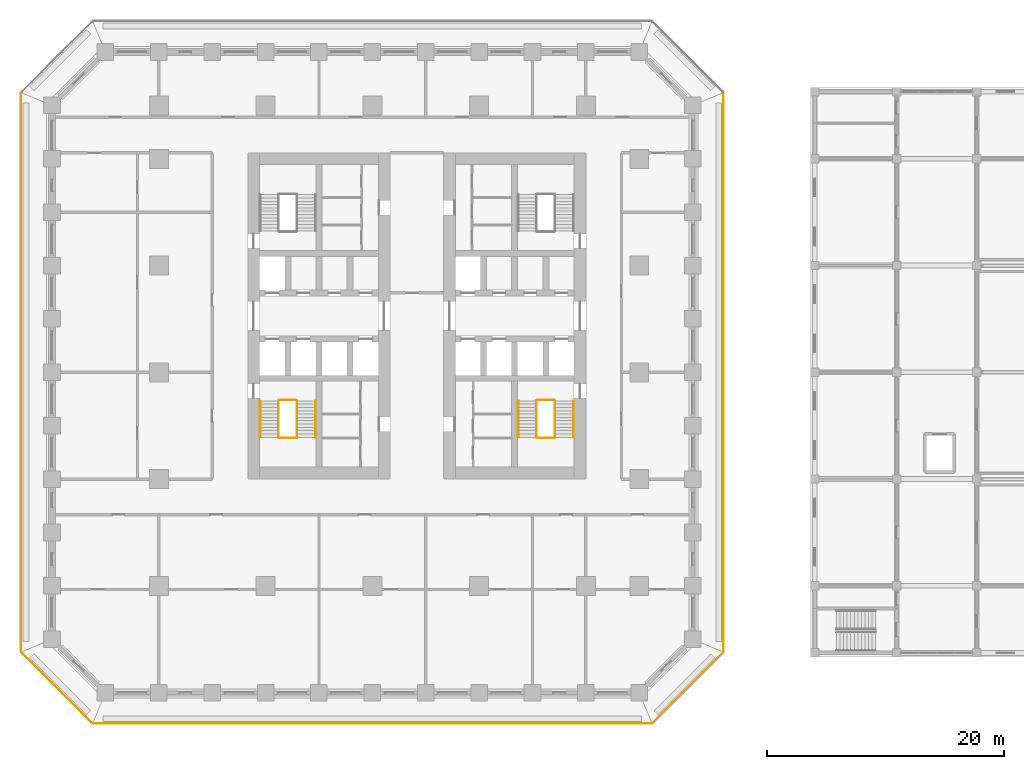
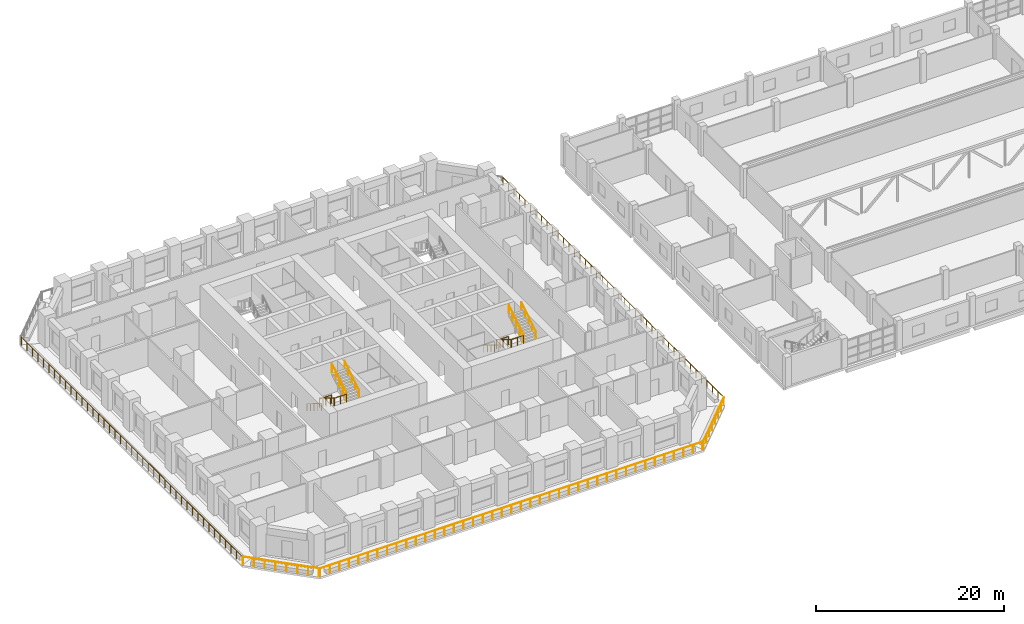
# One storey, part 35 of 42: 17 railings.
"""IFC4 building model written with IfcOpenShell, lengths in metres."""

import ifcopenshell
import ifcopenshell.guid

model = None  # the IFC model being written
_history = None  # IfcOwnerHistory: only IFC2X3 demands one
_inside = {}  # id of a spatial element -> (the spatial element, [elements in it])
_under = {}  # id of a project, library or spatial element -> (it, [spatial elements below it])
_declared = {}  # id of a project -> (the project, [libraries it declares])
_typed = {}  # id of a type object -> (the type object, [elements of that type])
_made_of = {}  # id of a material, layer set ... -> (it, [elements and type objects made of it])


def new_model(schema):
    """Start an empty IFC model of exactly this schema.

    Asked for "IFC4X3", IfcOpenShell would pick the latest addendum, in which some entities
    have other attributes; the version numbers below select the first issue.
    IFC2X3 requires an IfcOwnerHistory on every rooted entity: one is made here for all.
    """
    global model, _history
    if schema == "IFC4X3":
        model = ifcopenshell.file(schema_version=(4, 3, 0, 0))
    else:
        model = ifcopenshell.file(schema=schema)
    _inside.clear()
    _under.clear()
    _declared.clear()
    _typed.clear()
    _made_of.clear()
    _history = None
    if model.schema == "IFC2X3":
        org = make("IfcOrganization", Name="unknown")
        user = make(
            "IfcPersonAndOrganization",
            ThePerson=make("IfcPerson", FamilyName="unknown"),
            TheOrganization=org,
        )
        app = make(
            "IfcApplication",
            ApplicationDeveloper=org,
            Version="unknown",
            ApplicationFullName="unknown",
            ApplicationIdentifier="unknown",
        )
        _history = make(
            "IfcOwnerHistory",
            OwningUser=user,
            OwningApplication=app,
            ChangeAction="ADDED",
            CreationDate=0,
        )
    return model


def make(cls, **values):
    """One entity of the class cls with the attributes given. An attribute that is None is left unset."""
    return model.create_entity(
        cls, **{name: value for name, value in values.items() if value is not None}
    )


def rooted(cls, **values):
    """An entity with a GlobalId (a new one), such as an element, a storey or a relation."""
    return make(cls, GlobalId=ifcopenshell.guid.new(), OwnerHistory=_history, **values)


def si_unit(unit_type, name, prefix=None):
    """IfcSIUnit, for example si_unit("LENGTHUNIT", "METRE", prefix="MILLI")."""
    return make("IfcSIUnit", UnitType=unit_type, Prefix=prefix, Name=name)


def assignment(units):
    """IfcUnitAssignment: the units of a project."""
    return None if units is None else make("IfcUnitAssignment", Units=units)


def point(xyz):
    """IfcCartesianPoint."""
    return None if xyz is None else make("IfcCartesianPoint", Coordinates=xyz)


def direction(xyz):
    """IfcDirection."""
    return None if xyz is None else make("IfcDirection", DirectionRatios=xyz)


def frame(location, z_axis=None, x_axis=None):
    """IfcAxis2Placement3D, a coordinate frame: its origin and axes. An axis left out is left unset."""
    return make(
        "IfcAxis2Placement3D",
        Location=point(location),
        Axis=direction(z_axis),
        RefDirection=direction(x_axis),
    )


def frame_2d(location, x_axis=None):
    """IfcAxis2Placement2D, a coordinate frame in the plane: its origin and x axis."""
    return make(
        "IfcAxis2Placement2D", Location=point(location), RefDirection=direction(x_axis)
    )


def origin():
    """The frame at (0, 0, 0) with its axes left unset."""
    return frame((0.0, 0.0, 0.0))


def origin_2d():
    """The frame at (0, 0) in the plane with its x axis left unset."""
    return frame_2d((0.0, 0.0))


def place(relative_to, where):
    """IfcLocalPlacement: puts the frame where relative to a parent placement (None: the world)."""
    return make(
        "IfcLocalPlacement", PlacementRelTo=relative_to, RelativePlacement=where
    )


def context(
    kind, dimensions, precision=None, world=None, true_north=None, identifier=None
):
    """IfcGeometricRepresentationContext, for example the 3D "Model" context."""
    return make(
        "IfcGeometricRepresentationContext",
        ContextIdentifier=identifier,
        ContextType=kind,
        CoordinateSpaceDimension=dimensions,
        Precision=precision,
        WorldCoordinateSystem=world,
        TrueNorth=true_north,
    )


def subcontext(parent, identifier, kind, view, scale=None):
    """IfcGeometricRepresentationSubContext, for example "Body" below "Model"."""
    return make(
        "IfcGeometricRepresentationSubContext",
        ContextIdentifier=identifier,
        ContextType=kind,
        ParentContext=parent,
        TargetScale=scale,
        TargetView=view,
    )


def project(units=None, contexts=None):
    """IfcProject with its units and contexts."""
    return rooted(
        "IfcProject",
        Name="project",
        RepresentationContexts=contexts,
        UnitsInContext=assignment(units),
    )


def spatial(cls, under=None, at=None, **own):
    """A site, building, storey or space (cls), placed at a placement, below another one or the project."""
    s = rooted(cls, ObjectPlacement=at, **own)
    if under is not None:
        _under.setdefault(under.id(), (under, []))[1].append(s)
    return s


def profile(cls, at=None, kind="AREA", **sizes):
    """A parametric profile (cls). Its sizes go by their IFC names, for example OverallWidth=200.0."""
    return make(cls, ProfileType=kind, Position=at, **sizes)


def circle(**sizes):
    """IfcCircleProfileDef."""
    return profile("IfcCircleProfileDef", **sizes)


def extrude(swept, where, along, depth):
    """IfcExtrudedAreaSolid: the profile swept, set in the frame where, extruded along a direction by depth."""
    return make(
        "IfcExtrudedAreaSolid",
        SweptArea=swept,
        Position=where,
        ExtrudedDirection=direction(along),
        Depth=depth,
    )


def shape(context_of_items, identifier, shape_type, items):
    """IfcShapeRepresentation: the items that make up one representation, for example the "Body"."""
    return make(
        "IfcShapeRepresentation",
        ContextOfItems=context_of_items,
        RepresentationIdentifier=identifier,
        RepresentationType=shape_type,
        Items=items,
    )


def material(Name=None, Category=None):
    """IfcMaterial."""
    return make("IfcMaterial", Name=Name, Category=Category)


def made_of(thing, what):
    """Note that an element or type object is made of a material, layer set ...; save() writes the relation."""
    if what is not None:
        _made_of.setdefault(what.id(), (what, []))[1].append(thing)
    return thing


def type_object(cls, material=None, **own):
    """A type object (cls), such as IfcWallType, which elements share."""
    return made_of(rooted(cls, **own), material)


def element(
    cls,
    number,
    at=None,
    inside=None,
    cuts=None,
    type_object=None,
    material=None,
    context=None,
    identifier="Body",
    shape_type=None,
    held_by="IfcProductDefinitionShape",
    body=None,
    shapes=None,
    **own,
):
    """One element of the class cls, such as IfcWall. Its Tag is "e" and its number.

    at: its placement. inside: the storey or other place that contains it. cuts: it is an
    opening in that element (IfcRelVoidsElement). A single representation is given by context,
    identifier, shape_type and body (its items); several are given by shapes. held_by: the class
    of the entity that holds the representations. save() writes the other relations.
    """
    e = rooted(cls, Tag="e%d" % number, ObjectPlacement=at, **own)
    if body is not None:
        shapes = [shape(context, identifier, shape_type, body)]
    if shapes is not None:
        e.Representation = make(held_by, Representations=shapes)
    if inside is not None:
        _inside.setdefault(inside.id(), (inside, []))[1].append(e)
    if cuts is not None:
        rooted(
            "IfcRelVoidsElement", RelatingBuildingElement=cuts, RelatedOpeningElement=e
        )
    if type_object is not None:
        _typed.setdefault(type_object.id(), (type_object, []))[1].append(e)
    return made_of(e, material)


def aggregate(whole, parts):
    """IfcRelAggregates: a whole, such as a stair, and the parts it consists of."""
    return rooted("IfcRelAggregates", RelatingObject=whole, RelatedObjects=parts)


def save(model, path):
    """Write the relations noted so far, then the file.

    IfcRelAggregates (storeys below a building ...), IfcRelContainedInSpatialStructure (elements
    in a storey), IfcRelDefinesByType, IfcRelAssociatesMaterial and IfcRelDeclares: one each for
    every whole, place, type object, material and project.
    """
    for whole, parts in _under.values():
        aggregate(whole, parts)
    for where, things in _inside.values():
        rooted(
            "IfcRelContainedInSpatialStructure",
            RelatedElements=things,
            RelatingStructure=where,
        )
    for kind, things in _typed.values():
        rooted("IfcRelDefinesByType", RelatedObjects=things, RelatingType=kind)
    for what, things in _made_of.values():
        rooted("IfcRelAssociatesMaterial", RelatedObjects=things, RelatingMaterial=what)
    for by, libraries in _declared.values():
        rooted("IfcRelDeclares", RelatingContext=by, RelatedDefinitions=libraries)
    model.write(path)


model = new_model("IFC4")

# Units and contexts
model_context = context("Model", 3, precision=1e-05, world=origin(), true_north=direction((0.0, 1.0)))
body_context = subcontext(model_context, "Body", "Model", "MODEL_VIEW")
ifc_project = project(units=[si_unit("LENGTHUNIT", "METRE"), si_unit("AREAUNIT", "SQUARE_METRE"), si_unit("VOLUMEUNIT", "CUBIC_METRE"), si_unit("PLANEANGLEUNIT", "RADIAN"), si_unit("MASSUNIT", "GRAM", prefix="KILO")], contexts=[model_context])

# Site, building, storey
site_placement = place(None, origin())
site = spatial("IfcSite", under=ifc_project, at=site_placement, CompositionType="ELEMENT")
building_placement = place(site_placement, origin())
building = spatial("IfcBuilding", under=site, at=building_placement, Name="Corbel Stack Research Tower", CompositionType="ELEMENT")
storey_placement = place(building_placement, frame((0.0, 0.0, 11.300048828125)))
storey = spatial("IfcBuildingStorey", under=building, at=storey_placement, Name="L02", CompositionType="ELEMENT", Elevation=11.300048828125)

# Railings
ifc_material_1 = material(Name="Steel S355", Category="steel")
railing_type_1 = type_object("IfcRailingType", Name="Stair guard 1100", PredefinedType="GUARDRAIL", material=ifc_material_1)
railing_1_placement = place(storey_placement, frame((-7.89990234375, -2.39990234375, 0.1708984375)))
element("IfcRailing", 1, at=railing_1_placement, inside=storey, type_object=railing_type_1, Name="L02 ST-W1 stair guard 1", PredefinedType="GUARDRAIL", context=body_context, shape_type="SweptSolid", body=[
    extrude(circle(Radius=0.02392578125, at=origin_2d()), frame((0.0, 0.0, 1.076171875), z_axis=(0.0, -0.853666305674, 0.52082035152), x_axis=(1.0, 0.0, 0.0)), (0.0, 0.0, 1.0), 3.608154296875),
    extrude(circle(Radius=0.02099609375, at=origin_2d()), origin(), (0.0, 0.0, 1.0), 1.052001953125),
    extrude(circle(Radius=0.02099609375, at=origin_2d()), frame((0.0, -0.77001953125, 0.4697265625)), (0.0, 0.0, 1.0), 1.052001953125),
    extrude(circle(Radius=0.02099609375, at=origin_2d()), frame((0.0, -1.5400390625, 0.939453125)), (0.0, 0.0, 1.0), 1.052001953125),
    extrude(circle(Radius=0.02099609375, at=origin_2d()), frame((0.0, -2.31005859375, 1.409423828125)), (0.0, 0.0, 1.0), 1.052001953125),
    extrude(circle(Radius=0.02099609375, at=origin_2d()), frame((0.0, -3.080078125, 1.879150390625)), (0.0, 0.0, 1.0), 1.052001953125),
])
railing_2_placement = place(storey_placement, frame((-7.85009765625, -5.530029296875, 2.050048828125)))
element("IfcRailing", 2, at=railing_2_placement, inside=storey, type_object=railing_type_1, Name="L02 ST-W1 stair guard 2", PredefinedType="GUARDRAIL", context=body_context, shape_type="SweptSolid", body=[
    extrude(circle(Radius=0.02392578125, at=origin_2d()), frame((0.0, 0.0, 1.076171875), z_axis=(1.0, 0.0, 0.0), x_axis=(0.0, 1.0, 0.0)), (0.0, 0.0, 1.0), 1.4501953125),
    extrude(circle(Radius=0.02099609375, at=origin_2d()), origin(), (0.0, 0.0, 1.0), 1.052001953125),
    extrude(circle(Radius=0.02099609375, at=origin_2d()), frame((0.72509765625, 0.0, 0.0)), (0.0, 0.0, 1.0), 1.052001953125),
    extrude(circle(Radius=0.02099609375, at=origin_2d()), frame((1.4501953125, 0.0, 0.0)), (0.0, 0.0, 1.0), 1.052001953125),
])
railing_3_placement = place(storey_placement, frame((-6.35009765625, -5.47998046875, 2.220703125)))
element("IfcRailing", 3, at=railing_3_placement, inside=storey, type_object=railing_type_1, Name="L02 ST-W1 stair guard 3", PredefinedType="GUARDRAIL", context=body_context, shape_type="SweptSolid", body=[
    extrude(circle(Radius=0.02392578125, at=origin_2d()), frame((0.0, 0.0, 1.076171875), z_axis=(0.0, 0.853666305674, 0.52082035152), x_axis=(-1.0, 0.0, 0.0)), (0.0, 0.0, 1.0), 3.608154296875),
    extrude(circle(Radius=0.02099609375, at=origin_2d()), origin(), (0.0, 0.0, 1.0), 1.052001953125),
    extrude(circle(Radius=0.02099609375, at=origin_2d()), frame((0.0, 0.77001953125, 0.4697265625)), (0.0, 0.0, 1.0), 1.052001953125),
    extrude(circle(Radius=0.02099609375, at=origin_2d()), frame((0.0, 1.5400390625, 0.939453125)), (0.0, 0.0, 1.0), 1.052001953125),
    extrude(circle(Radius=0.02099609375, at=origin_2d()), frame((0.0, 2.31005859375, 1.409423828125)), (0.0, 0.0, 1.0), 1.052001953125),
    extrude(circle(Radius=0.02099609375, at=origin_2d()), frame((0.0, 3.080078125, 1.879150390625)), (0.0, 0.0, 1.0), 1.052001953125),
])
railing_4_placement = place(storey_placement, frame((-7.85009765625, -2.35009765625, 0.0)))
element("IfcRailing", 4, at=railing_4_placement, inside=storey, type_object=railing_type_1, Name="L02 ST-W1 stair guard 4", PredefinedType="GUARDRAIL", context=body_context, shape_type="SweptSolid", body=[
    extrude(circle(Radius=0.02392578125, at=origin_2d()), frame((0.0, 0.0, 1.076171875), z_axis=(1.0, 0.0, 0.0), x_axis=(0.0, 1.0, 0.0)), (0.0, 0.0, 1.0), 1.4501953125),
    extrude(circle(Radius=0.02099609375, at=origin_2d()), origin(), (0.0, 0.0, 1.0), 1.052001953125),
    extrude(circle(Radius=0.02099609375, at=origin_2d()), frame((0.72509765625, 0.0, 0.0)), (0.0, 0.0, 1.0), 1.052001953125),
    extrude(circle(Radius=0.02099609375, at=origin_2d()), frame((1.4501953125, 0.0, 0.0)), (0.0, 0.0, 1.0), 1.052001953125),
])
railing_5_placement = place(storey_placement, frame((13.85009765625, -2.39990234375, 0.1708984375)))
element("IfcRailing", 5, at=railing_5_placement, inside=storey, type_object=railing_type_1, Name="L02 ST-E1 stair guard 1", PredefinedType="GUARDRAIL", context=body_context, shape_type="SweptSolid", body=[
    extrude(circle(Radius=0.02392578125, at=origin_2d()), frame((0.0, 0.0, 1.076171875), z_axis=(0.0, -0.853666305674, 0.52082035152), x_axis=(1.0, 0.0, 0.0)), (0.0, 0.0, 1.0), 3.608154296875),
    extrude(circle(Radius=0.02099609375, at=origin_2d()), origin(), (0.0, 0.0, 1.0), 1.052001953125),
    extrude(circle(Radius=0.02099609375, at=origin_2d()), frame((0.0, -0.77001953125, 0.4697265625)), (0.0, 0.0, 1.0), 1.052001953125),
    extrude(circle(Radius=0.02099609375, at=origin_2d()), frame((0.0, -1.5400390625, 0.939453125)), (0.0, 0.0, 1.0), 1.052001953125),
    extrude(circle(Radius=0.02099609375, at=origin_2d()), frame((0.0, -2.31005859375, 1.409423828125)), (0.0, 0.0, 1.0), 1.052001953125),
    extrude(circle(Radius=0.02099609375, at=origin_2d()), frame((0.0, -3.080078125, 1.879150390625)), (0.0, 0.0, 1.0), 1.052001953125),
])
railing_6_placement = place(storey_placement, frame((13.89990234375, -5.530029296875, 2.050048828125)))
element("IfcRailing", 6, at=railing_6_placement, inside=storey, type_object=railing_type_1, Name="L02 ST-E1 stair guard 2", PredefinedType="GUARDRAIL", context=body_context, shape_type="SweptSolid", body=[
    extrude(circle(Radius=0.02392578125, at=origin_2d()), frame((0.0, 0.0, 1.076171875), z_axis=(1.0, 0.0, 0.0), x_axis=(0.0, 1.0, 0.0)), (0.0, 0.0, 1.0), 1.4501953125),
    extrude(circle(Radius=0.02099609375, at=origin_2d()), origin(), (0.0, 0.0, 1.0), 1.052001953125),
    extrude(circle(Radius=0.02099609375, at=origin_2d()), frame((0.72509765625, 0.0, 0.0)), (0.0, 0.0, 1.0), 1.052001953125),
    extrude(circle(Radius=0.02099609375, at=origin_2d()), frame((1.4501953125, 0.0, 0.0)), (0.0, 0.0, 1.0), 1.052001953125),
])
railing_7_placement = place(storey_placement, frame((15.39990234375, -5.47998046875, 2.220703125)))
element("IfcRailing", 7, at=railing_7_placement, inside=storey, type_object=railing_type_1, Name="L02 ST-E1 stair guard 3", PredefinedType="GUARDRAIL", context=body_context, shape_type="SweptSolid", body=[
    extrude(circle(Radius=0.02392578125, at=origin_2d()), frame((0.0, 0.0, 1.076171875), z_axis=(0.0, 0.853666305674, 0.52082035152), x_axis=(-1.0, 0.0, 0.0)), (0.0, 0.0, 1.0), 3.608154296875),
    extrude(circle(Radius=0.02099609375, at=origin_2d()), origin(), (0.0, 0.0, 1.0), 1.052001953125),
    extrude(circle(Radius=0.02099609375, at=origin_2d()), frame((0.0, 0.77001953125, 0.4697265625)), (0.0, 0.0, 1.0), 1.052001953125),
    extrude(circle(Radius=0.02099609375, at=origin_2d()), frame((0.0, 1.5400390625, 0.939453125)), (0.0, 0.0, 1.0), 1.052001953125),
    extrude(circle(Radius=0.02099609375, at=origin_2d()), frame((0.0, 2.31005859375, 1.409423828125)), (0.0, 0.0, 1.0), 1.052001953125),
    extrude(circle(Radius=0.02099609375, at=origin_2d()), frame((0.0, 3.080078125, 1.879150390625)), (0.0, 0.0, 1.0), 1.052001953125),
])
railing_8_placement = place(storey_placement, frame((13.89990234375, -2.35009765625, 0.0)))
element("IfcRailing", 8, at=railing_8_placement, inside=storey, type_object=railing_type_1, Name="L02 ST-E1 stair guard 4", PredefinedType="GUARDRAIL", context=body_context, shape_type="SweptSolid", body=[
    extrude(circle(Radius=0.02392578125, at=origin_2d()), frame((0.0, 0.0, 1.076171875), z_axis=(1.0, 0.0, 0.0), x_axis=(0.0, 1.0, 0.0)), (0.0, 0.0, 1.0), 1.4501953125),
    extrude(circle(Radius=0.02099609375, at=origin_2d()), origin(), (0.0, 0.0, 1.0), 1.052001953125),
    extrude(circle(Radius=0.02099609375, at=origin_2d()), frame((0.72509765625, 0.0, 0.0)), (0.0, 0.0, 1.0), 1.052001953125),
    extrude(circle(Radius=0.02099609375, at=origin_2d()), frame((1.4501953125, 0.0, 0.0)), (0.0, 0.0, 1.0), 1.052001953125),
])
ifc_material_2 = material(Name="Steel S355", Category="steel")
railing_type_2 = type_object("IfcRailingType", Name="Stair handrail 900", PredefinedType="HANDRAIL", material=ifc_material_2)
railing_9_placement = place(storey_placement, frame((-9.449951171875, -2.39990234375, 0.1708984375)))
element("IfcRailing", 9, at=railing_9_placement, inside=storey, type_object=railing_type_2, Name="L02 ST-W1 stair handrail 1", PredefinedType="HANDRAIL", context=body_context, shape_type="SweptSolid", body=[
    extrude(circle(Radius=0.02392578125, at=origin_2d()), frame((0.0, 0.0, 0.8759765625), z_axis=(0.0, -0.853666305674, 0.52082035152), x_axis=(1.0, 0.0, 0.0)), (0.0, 0.0, 1.0), 3.608154296875),
    extrude(circle(Radius=0.02099609375, at=origin_2d()), origin(), (0.0, 0.0, 1.0), 0.851806640625),
    extrude(circle(Radius=0.02099609375, at=origin_2d()), frame((0.0, -0.77001953125, 0.4697265625)), (0.0, 0.0, 1.0), 0.851806640625),
    extrude(circle(Radius=0.02099609375, at=origin_2d()), frame((0.0, -1.5400390625, 0.939453125)), (0.0, 0.0, 1.0), 0.851806640625),
    extrude(circle(Radius=0.02099609375, at=origin_2d()), frame((0.0, -2.31005859375, 1.409423828125)), (0.0, 0.0, 1.0), 0.851806640625),
    extrude(circle(Radius=0.02099609375, at=origin_2d()), frame((0.0, -3.080078125, 1.879150390625)), (0.0, 0.0, 1.0), 0.851806640625),
])
railing_10_placement = place(storey_placement, frame((-4.800048828125, -5.47998046875, 2.220703125)))
element("IfcRailing", 10, at=railing_10_placement, inside=storey, type_object=railing_type_2, Name="L02 ST-W1 stair handrail 2", PredefinedType="HANDRAIL", context=body_context, shape_type="SweptSolid", body=[
    extrude(circle(Radius=0.02392578125, at=origin_2d()), frame((0.0, 0.0, 0.8759765625), z_axis=(0.0, 0.853666305674, 0.52082035152), x_axis=(-1.0, 0.0, 0.0)), (0.0, 0.0, 1.0), 3.608154296875),
    extrude(circle(Radius=0.02099609375, at=origin_2d()), origin(), (0.0, 0.0, 1.0), 0.851806640625),
    extrude(circle(Radius=0.02099609375, at=origin_2d()), frame((0.0, 0.77001953125, 0.4697265625)), (0.0, 0.0, 1.0), 0.851806640625),
    extrude(circle(Radius=0.02099609375, at=origin_2d()), frame((0.0, 1.5400390625, 0.939453125)), (0.0, 0.0, 1.0), 0.851806640625),
    extrude(circle(Radius=0.02099609375, at=origin_2d()), frame((0.0, 2.31005859375, 1.409423828125)), (0.0, 0.0, 1.0), 0.851806640625),
    extrude(circle(Radius=0.02099609375, at=origin_2d()), frame((0.0, 3.080078125, 1.879150390625)), (0.0, 0.0, 1.0), 0.851806640625),
])
railing_11_placement = place(storey_placement, frame((12.300048828125, -2.39990234375, 0.1708984375)))
element("IfcRailing", 11, at=railing_11_placement, inside=storey, type_object=railing_type_2, Name="L02 ST-E1 stair handrail 1", PredefinedType="HANDRAIL", context=body_context, shape_type="SweptSolid", body=[
    extrude(circle(Radius=0.02392578125, at=origin_2d()), frame((0.0, 0.0, 0.8759765625), z_axis=(0.0, -0.853666305674, 0.52082035152), x_axis=(1.0, 0.0, 0.0)), (0.0, 0.0, 1.0), 3.608154296875),
    extrude(circle(Radius=0.02099609375, at=origin_2d()), origin(), (0.0, 0.0, 1.0), 0.851806640625),
    extrude(circle(Radius=0.02099609375, at=origin_2d()), frame((0.0, -0.77001953125, 0.4697265625)), (0.0, 0.0, 1.0), 0.851806640625),
    extrude(circle(Radius=0.02099609375, at=origin_2d()), frame((0.0, -1.5400390625, 0.939453125)), (0.0, 0.0, 1.0), 0.851806640625),
    extrude(circle(Radius=0.02099609375, at=origin_2d()), frame((0.0, -2.31005859375, 1.409423828125)), (0.0, 0.0, 1.0), 0.851806640625),
    extrude(circle(Radius=0.02099609375, at=origin_2d()), frame((0.0, -3.080078125, 1.879150390625)), (0.0, 0.0, 1.0), 0.851806640625),
])
railing_12_placement = place(storey_placement, frame((16.949951171875, -5.47998046875, 2.220703125)))
element("IfcRailing", 12, at=railing_12_placement, inside=storey, type_object=railing_type_2, Name="L02 ST-E1 stair handrail 2", PredefinedType="HANDRAIL", context=body_context, shape_type="SweptSolid", body=[
    extrude(circle(Radius=0.02392578125, at=origin_2d()), frame((0.0, 0.0, 0.8759765625), z_axis=(0.0, 0.853666305674, 0.52082035152), x_axis=(-1.0, 0.0, 0.0)), (0.0, 0.0, 1.0), 3.608154296875),
    extrude(circle(Radius=0.02099609375, at=origin_2d()), origin(), (0.0, 0.0, 1.0), 0.851806640625),
    extrude(circle(Radius=0.02099609375, at=origin_2d()), frame((0.0, 0.77001953125, 0.4697265625)), (0.0, 0.0, 1.0), 0.851806640625),
    extrude(circle(Radius=0.02099609375, at=origin_2d()), frame((0.0, 1.5400390625, 0.939453125)), (0.0, 0.0, 1.0), 0.851806640625),
    extrude(circle(Radius=0.02099609375, at=origin_2d()), frame((0.0, 2.31005859375, 1.409423828125)), (0.0, 0.0, 1.0), 0.851806640625),
    extrude(circle(Radius=0.02099609375, at=origin_2d()), frame((0.0, 3.080078125, 1.879150390625)), (0.0, 0.0, 1.0), 0.851806640625),
])
ifc_material_3 = material(Name="Powder-coated steel guard", Category="steel")
railing_type_3 = type_object("IfcRailingType", Name="Steel and glass guard 1100", PredefinedType="GUARDRAIL", material=ifc_material_3)
railing_13_placement = place(storey_placement, frame((-23.50537109375, -29.60009765625, 0.0)))
element("IfcRailing", 13, at=railing_13_placement, inside=storey, type_object=railing_type_3, Name="Loggia guard L02 S", PredefinedType="GUARDRAIL", context=body_context, shape_type="SweptSolid", body=[
    extrude(circle(Radius=0.02392578125, at=origin_2d()), frame((0.0, 0.0, 1.076171875), z_axis=(1.0, 0.0, 0.0), x_axis=(0.0, 1.0, 0.0)), (0.0, 0.0, 1.0), 47.0107421875),
    extrude(circle(Radius=0.02099609375, at=origin_2d()), origin(), (0.0, 0.0, 1.0), 1.052001953125),
    extrude(circle(Radius=0.02099609375, at=origin_2d()), frame((1.17529296875, 0.0, 0.0)), (0.0, 0.0, 1.0), 1.052001953125),
    extrude(circle(Radius=0.02099609375, at=origin_2d()), frame((2.3505859375, 0.0, 0.0)), (0.0, 0.0, 1.0), 1.052001953125),
    extrude(circle(Radius=0.02099609375, at=origin_2d()), frame((3.52587890625, 0.0, 0.0)), (0.0, 0.0, 1.0), 1.052001953125),
    extrude(circle(Radius=0.02099609375, at=origin_2d()), frame((4.701171875, 0.0, 0.0)), (0.0, 0.0, 1.0), 1.052001953125),
    extrude(circle(Radius=0.02099609375, at=origin_2d()), frame((5.87646484375, 0.0, 0.0)), (0.0, 0.0, 1.0), 1.052001953125),
    extrude(circle(Radius=0.02099609375, at=origin_2d()), frame((7.051513671875, 0.0, 0.0)), (0.0, 0.0, 1.0), 1.052001953125),
    extrude(circle(Radius=0.02099609375, at=origin_2d()), frame((8.226806640625, 0.0, 0.0)), (0.0, 0.0, 1.0), 1.052001953125),
    extrude(circle(Radius=0.02099609375, at=origin_2d()), frame((9.402099609375, 0.0, 0.0)), (0.0, 0.0, 1.0), 1.052001953125),
    extrude(circle(Radius=0.02099609375, at=origin_2d()), frame((10.577392578125, 0.0, 0.0)), (0.0, 0.0, 1.0), 1.052001953125),
    extrude(circle(Radius=0.02099609375, at=origin_2d()), frame((11.752685546875, 0.0, 0.0)), (0.0, 0.0, 1.0), 1.052001953125),
    extrude(circle(Radius=0.02099609375, at=origin_2d()), frame((12.927978515625, 0.0, 0.0)), (0.0, 0.0, 1.0), 1.052001953125),
    extrude(circle(Radius=0.02099609375, at=origin_2d()), frame((14.103271484375, 0.0, 0.0)), (0.0, 0.0, 1.0), 1.052001953125),
    extrude(circle(Radius=0.02099609375, at=origin_2d()), frame((15.278564453125, 0.0, 0.0)), (0.0, 0.0, 1.0), 1.052001953125),
    extrude(circle(Radius=0.02099609375, at=origin_2d()), frame((16.453857421875, 0.0, 0.0)), (0.0, 0.0, 1.0), 1.052001953125),
    extrude(circle(Radius=0.02099609375, at=origin_2d()), frame((17.62890625, 0.0, 0.0)), (0.0, 0.0, 1.0), 1.052001953125),
    extrude(circle(Radius=0.02099609375, at=origin_2d()), frame((18.80419921875, 0.0, 0.0)), (0.0, 0.0, 1.0), 1.052001953125),
    extrude(circle(Radius=0.02099609375, at=origin_2d()), frame((19.9794921875, 0.0, 0.0)), (0.0, 0.0, 1.0), 1.052001953125),
    extrude(circle(Radius=0.02099609375, at=origin_2d()), frame((21.15478515625, 0.0, 0.0)), (0.0, 0.0, 1.0), 1.052001953125),
    extrude(circle(Radius=0.02099609375, at=origin_2d()), frame((22.330078125, 0.0, 0.0)), (0.0, 0.0, 1.0), 1.052001953125),
    extrude(circle(Radius=0.02099609375, at=origin_2d()), frame((23.50537109375, 0.0, 0.0)), (0.0, 0.0, 1.0), 1.052001953125),
    extrude(circle(Radius=0.02099609375, at=origin_2d()), frame((24.6806640625, 0.0, 0.0)), (0.0, 0.0, 1.0), 1.052001953125),
    extrude(circle(Radius=0.02099609375, at=origin_2d()), frame((25.85595703125, 0.0, 0.0)), (0.0, 0.0, 1.0), 1.052001953125),
    extrude(circle(Radius=0.02099609375, at=origin_2d()), frame((27.03125, 0.0, 0.0)), (0.0, 0.0, 1.0), 1.052001953125),
    extrude(circle(Radius=0.02099609375, at=origin_2d()), frame((28.20654296875, 0.0, 0.0)), (0.0, 0.0, 1.0), 1.052001953125),
    extrude(circle(Radius=0.02099609375, at=origin_2d()), frame((29.3818359375, 0.0, 0.0)), (0.0, 0.0, 1.0), 1.052001953125),
    extrude(circle(Radius=0.02099609375, at=origin_2d()), frame((30.556884765625, 0.0, 0.0)), (0.0, 0.0, 1.0), 1.052001953125),
    extrude(circle(Radius=0.02099609375, at=origin_2d()), frame((31.732177734375, 0.0, 0.0)), (0.0, 0.0, 1.0), 1.052001953125),
    extrude(circle(Radius=0.02099609375, at=origin_2d()), frame((32.907470703125, 0.0, 0.0)), (0.0, 0.0, 1.0), 1.052001953125),
    extrude(circle(Radius=0.02099609375, at=origin_2d()), frame((34.082763671875, 0.0, 0.0)), (0.0, 0.0, 1.0), 1.052001953125),
    extrude(circle(Radius=0.02099609375, at=origin_2d()), frame((35.258056640625, 0.0, 0.0)), (0.0, 0.0, 1.0), 1.052001953125),
    extrude(circle(Radius=0.02099609375, at=origin_2d()), frame((36.433349609375, 0.0, 0.0)), (0.0, 0.0, 1.0), 1.052001953125),
    extrude(circle(Radius=0.02099609375, at=origin_2d()), frame((37.608642578125, 0.0, 0.0)), (0.0, 0.0, 1.0), 1.052001953125),
    extrude(circle(Radius=0.02099609375, at=origin_2d()), frame((38.783935546875, 0.0, 0.0)), (0.0, 0.0, 1.0), 1.052001953125),
    extrude(circle(Radius=0.02099609375, at=origin_2d()), frame((39.959228515625, 0.0, 0.0)), (0.0, 0.0, 1.0), 1.052001953125),
    extrude(circle(Radius=0.02099609375, at=origin_2d()), frame((41.13427734375, 0.0, 0.0)), (0.0, 0.0, 1.0), 1.052001953125),
    extrude(circle(Radius=0.02099609375, at=origin_2d()), frame((42.3095703125, 0.0, 0.0)), (0.0, 0.0, 1.0), 1.052001953125),
    extrude(circle(Radius=0.02099609375, at=origin_2d()), frame((43.48486328125, 0.0, 0.0)), (0.0, 0.0, 1.0), 1.052001953125),
    extrude(circle(Radius=0.02099609375, at=origin_2d()), frame((44.66015625, 0.0, 0.0)), (0.0, 0.0, 1.0), 1.052001953125),
    extrude(circle(Radius=0.02099609375, at=origin_2d()), frame((45.83544921875, 0.0, 0.0)), (0.0, 0.0, 1.0), 1.052001953125),
    extrude(circle(Radius=0.02099609375, at=origin_2d()), frame((47.0107421875, 0.0, 0.0)), (0.0, 0.0, 1.0), 1.052001953125),
])
railing_14_placement = place(storey_placement, frame((23.627685546875, -29.54931640625, 0.0)))
element("IfcRailing", 14, at=railing_14_placement, inside=storey, type_object=railing_type_3, Name="Loggia guard L02 SE", PredefinedType="GUARDRAIL", context=body_context, shape_type="SweptSolid", body=[
    extrude(circle(Radius=0.02392578125, at=origin_2d()), frame((0.0, 0.0, 1.076171875), z_axis=(0.707106781187, 0.707106781187, 0.0), x_axis=(-0.707106781187, 0.707106781187, 0.0)), (0.0, 0.0, 1.0), 8.37451171875),
    extrude(circle(Radius=0.02099609375, at=origin_2d()), origin(), (0.0, 0.0, 1.0), 1.052001953125),
    extrude(circle(Radius=0.02099609375, at=origin_2d()), frame((0.845947265625, 0.845947265625, 0.0)), (0.0, 0.0, 1.0), 1.052001953125),
    extrude(circle(Radius=0.02099609375, at=origin_2d()), frame((1.69189453125, 1.69189453125, 0.0)), (0.0, 0.0, 1.0), 1.052001953125),
    extrude(circle(Radius=0.02099609375, at=origin_2d()), frame((2.537841796875, 2.537841796875, 0.0)), (0.0, 0.0, 1.0), 1.052001953125),
    extrude(circle(Radius=0.02099609375, at=origin_2d()), frame((3.3837890625, 3.3837890625, 0.0)), (0.0, 0.0, 1.0), 1.052001953125),
    extrude(circle(Radius=0.02099609375, at=origin_2d()), frame((4.229736328125, 4.229736328125, 0.0)), (0.0, 0.0, 1.0), 1.052001953125),
    extrude(circle(Radius=0.02099609375, at=origin_2d()), frame((5.07568359375, 5.07568359375, 0.0)), (0.0, 0.0, 1.0), 1.052001953125),
    extrude(circle(Radius=0.02099609375, at=origin_2d()), frame((5.921630859375, 5.921630859375, 0.0)), (0.0, 0.0, 1.0), 1.052001953125),
])
railing_15_placement = place(storey_placement, frame((29.60009765625, -23.50537109375, 0.0)))
element("IfcRailing", 15, at=railing_15_placement, inside=storey, type_object=railing_type_3, Name="Loggia guard L02 E", PredefinedType="GUARDRAIL", context=body_context, shape_type="SweptSolid", body=[
    extrude(circle(Radius=0.02392578125, at=origin_2d()), frame((0.0, 0.0, 1.076171875), z_axis=(0.0, 1.0, 0.0), x_axis=(-1.0, 0.0, 0.0)), (0.0, 0.0, 1.0), 47.0107421875),
    extrude(circle(Radius=0.02099609375, at=origin_2d()), origin(), (0.0, 0.0, 1.0), 1.052001953125),
    extrude(circle(Radius=0.02099609375, at=origin_2d()), frame((0.0, 1.17529296875, 0.0)), (0.0, 0.0, 1.0), 1.052001953125),
    extrude(circle(Radius=0.02099609375, at=origin_2d()), frame((0.0, 2.3505859375, 0.0)), (0.0, 0.0, 1.0), 1.052001953125),
    extrude(circle(Radius=0.02099609375, at=origin_2d()), frame((0.0, 3.52587890625, 0.0)), (0.0, 0.0, 1.0), 1.052001953125),
    extrude(circle(Radius=0.02099609375, at=origin_2d()), frame((0.0, 4.701171875, 0.0)), (0.0, 0.0, 1.0), 1.052001953125),
    extrude(circle(Radius=0.02099609375, at=origin_2d()), frame((0.0, 5.87646484375, 0.0)), (0.0, 0.0, 1.0), 1.052001953125),
    extrude(circle(Radius=0.02099609375, at=origin_2d()), frame((0.0, 7.051513671875, 0.0)), (0.0, 0.0, 1.0), 1.052001953125),
    extrude(circle(Radius=0.02099609375, at=origin_2d()), frame((0.0, 8.226806640625, 0.0)), (0.0, 0.0, 1.0), 1.052001953125),
    extrude(circle(Radius=0.02099609375, at=origin_2d()), frame((0.0, 9.402099609375, 0.0)), (0.0, 0.0, 1.0), 1.052001953125),
    extrude(circle(Radius=0.02099609375, at=origin_2d()), frame((0.0, 10.577392578125, 0.0)), (0.0, 0.0, 1.0), 1.052001953125),
    extrude(circle(Radius=0.02099609375, at=origin_2d()), frame((0.0, 11.752685546875, 0.0)), (0.0, 0.0, 1.0), 1.052001953125),
    extrude(circle(Radius=0.02099609375, at=origin_2d()), frame((0.0, 12.927978515625, 0.0)), (0.0, 0.0, 1.0), 1.052001953125),
    extrude(circle(Radius=0.02099609375, at=origin_2d()), frame((0.0, 14.103271484375, 0.0)), (0.0, 0.0, 1.0), 1.052001953125),
    extrude(circle(Radius=0.02099609375, at=origin_2d()), frame((0.0, 15.278564453125, 0.0)), (0.0, 0.0, 1.0), 1.052001953125),
    extrude(circle(Radius=0.02099609375, at=origin_2d()), frame((0.0, 16.453857421875, 0.0)), (0.0, 0.0, 1.0), 1.052001953125),
    extrude(circle(Radius=0.02099609375, at=origin_2d()), frame((0.0, 17.62890625, 0.0)), (0.0, 0.0, 1.0), 1.052001953125),
    extrude(circle(Radius=0.02099609375, at=origin_2d()), frame((0.0, 18.80419921875, 0.0)), (0.0, 0.0, 1.0), 1.052001953125),
    extrude(circle(Radius=0.02099609375, at=origin_2d()), frame((0.0, 19.9794921875, 0.0)), (0.0, 0.0, 1.0), 1.052001953125),
    extrude(circle(Radius=0.02099609375, at=origin_2d()), frame((0.0, 21.15478515625, 0.0)), (0.0, 0.0, 1.0), 1.052001953125),
    extrude(circle(Radius=0.02099609375, at=origin_2d()), frame((0.0, 22.330078125, 0.0)), (0.0, 0.0, 1.0), 1.052001953125),
    extrude(circle(Radius=0.02099609375, at=origin_2d()), frame((0.0, 23.50537109375, 0.0)), (0.0, 0.0, 1.0), 1.052001953125),
    extrude(circle(Radius=0.02099609375, at=origin_2d()), frame((0.0, 24.6806640625, 0.0)), (0.0, 0.0, 1.0), 1.052001953125),
    extrude(circle(Radius=0.02099609375, at=origin_2d()), frame((0.0, 25.85595703125, 0.0)), (0.0, 0.0, 1.0), 1.052001953125),
    extrude(circle(Radius=0.02099609375, at=origin_2d()), frame((0.0, 27.03125, 0.0)), (0.0, 0.0, 1.0), 1.052001953125),
    extrude(circle(Radius=0.02099609375, at=origin_2d()), frame((0.0, 28.20654296875, 0.0)), (0.0, 0.0, 1.0), 1.052001953125),
    extrude(circle(Radius=0.02099609375, at=origin_2d()), frame((0.0, 29.3818359375, 0.0)), (0.0, 0.0, 1.0), 1.052001953125),
    extrude(circle(Radius=0.02099609375, at=origin_2d()), frame((0.0, 30.556884765625, 0.0)), (0.0, 0.0, 1.0), 1.052001953125),
    extrude(circle(Radius=0.02099609375, at=origin_2d()), frame((0.0, 31.732177734375, 0.0)), (0.0, 0.0, 1.0), 1.052001953125),
    extrude(circle(Radius=0.02099609375, at=origin_2d()), frame((0.0, 32.907470703125, 0.0)), (0.0, 0.0, 1.0), 1.052001953125),
    extrude(circle(Radius=0.02099609375, at=origin_2d()), frame((0.0, 34.082763671875, 0.0)), (0.0, 0.0, 1.0), 1.052001953125),
    extrude(circle(Radius=0.02099609375, at=origin_2d()), frame((0.0, 35.258056640625, 0.0)), (0.0, 0.0, 1.0), 1.052001953125),
    extrude(circle(Radius=0.02099609375, at=origin_2d()), frame((0.0, 36.433349609375, 0.0)), (0.0, 0.0, 1.0), 1.052001953125),
    extrude(circle(Radius=0.02099609375, at=origin_2d()), frame((0.0, 37.608642578125, 0.0)), (0.0, 0.0, 1.0), 1.052001953125),
    extrude(circle(Radius=0.02099609375, at=origin_2d()), frame((0.0, 38.783935546875, 0.0)), (0.0, 0.0, 1.0), 1.052001953125),
    extrude(circle(Radius=0.02099609375, at=origin_2d()), frame((0.0, 39.959228515625, 0.0)), (0.0, 0.0, 1.0), 1.052001953125),
    extrude(circle(Radius=0.02099609375, at=origin_2d()), frame((0.0, 41.13427734375, 0.0)), (0.0, 0.0, 1.0), 1.052001953125),
    extrude(circle(Radius=0.02099609375, at=origin_2d()), frame((0.0, 42.3095703125, 0.0)), (0.0, 0.0, 1.0), 1.052001953125),
    extrude(circle(Radius=0.02099609375, at=origin_2d()), frame((0.0, 43.48486328125, 0.0)), (0.0, 0.0, 1.0), 1.052001953125),
    extrude(circle(Radius=0.02099609375, at=origin_2d()), frame((0.0, 44.66015625, 0.0)), (0.0, 0.0, 1.0), 1.052001953125),
    extrude(circle(Radius=0.02099609375, at=origin_2d()), frame((0.0, 45.83544921875, 0.0)), (0.0, 0.0, 1.0), 1.052001953125),
    extrude(circle(Radius=0.02099609375, at=origin_2d()), frame((0.0, 47.0107421875, 0.0)), (0.0, 0.0, 1.0), 1.052001953125),
])
railing_16_placement = place(storey_placement, frame((-29.60009765625, 23.50537109375, 0.0)))
element("IfcRailing", 16, at=railing_16_placement, inside=storey, type_object=railing_type_3, Name="Loggia guard L02 W", PredefinedType="GUARDRAIL", context=body_context, shape_type="SweptSolid", body=[
    extrude(circle(Radius=0.02392578125, at=origin_2d()), frame((0.0, 0.0, 1.076171875), z_axis=(0.0, -1.0, 0.0), x_axis=(1.0, 0.0, 0.0)), (0.0, 0.0, 1.0), 47.0107421875),
    extrude(circle(Radius=0.02099609375, at=origin_2d()), origin(), (0.0, 0.0, 1.0), 1.052001953125),
    extrude(circle(Radius=0.02099609375, at=origin_2d()), frame((0.0, -1.17529296875, 0.0)), (0.0, 0.0, 1.0), 1.052001953125),
    extrude(circle(Radius=0.02099609375, at=origin_2d()), frame((0.0, -2.3505859375, 0.0)), (0.0, 0.0, 1.0), 1.052001953125),
    extrude(circle(Radius=0.02099609375, at=origin_2d()), frame((0.0, -3.52587890625, 0.0)), (0.0, 0.0, 1.0), 1.052001953125),
    extrude(circle(Radius=0.02099609375, at=origin_2d()), frame((0.0, -4.701171875, 0.0)), (0.0, 0.0, 1.0), 1.052001953125),
    extrude(circle(Radius=0.02099609375, at=origin_2d()), frame((0.0, -5.87646484375, 0.0)), (0.0, 0.0, 1.0), 1.052001953125),
    extrude(circle(Radius=0.02099609375, at=origin_2d()), frame((0.0, -7.051513671875, 0.0)), (0.0, 0.0, 1.0), 1.052001953125),
    extrude(circle(Radius=0.02099609375, at=origin_2d()), frame((0.0, -8.226806640625, 0.0)), (0.0, 0.0, 1.0), 1.052001953125),
    extrude(circle(Radius=0.02099609375, at=origin_2d()), frame((0.0, -9.402099609375, 0.0)), (0.0, 0.0, 1.0), 1.052001953125),
    extrude(circle(Radius=0.02099609375, at=origin_2d()), frame((0.0, -10.577392578125, 0.0)), (0.0, 0.0, 1.0), 1.052001953125),
    extrude(circle(Radius=0.02099609375, at=origin_2d()), frame((0.0, -11.752685546875, 0.0)), (0.0, 0.0, 1.0), 1.052001953125),
    extrude(circle(Radius=0.02099609375, at=origin_2d()), frame((0.0, -12.927978515625, 0.0)), (0.0, 0.0, 1.0), 1.052001953125),
    extrude(circle(Radius=0.02099609375, at=origin_2d()), frame((0.0, -14.103271484375, 0.0)), (0.0, 0.0, 1.0), 1.052001953125),
    extrude(circle(Radius=0.02099609375, at=origin_2d()), frame((0.0, -15.278564453125, 0.0)), (0.0, 0.0, 1.0), 1.052001953125),
    extrude(circle(Radius=0.02099609375, at=origin_2d()), frame((0.0, -16.453857421875, 0.0)), (0.0, 0.0, 1.0), 1.052001953125),
    extrude(circle(Radius=0.02099609375, at=origin_2d()), frame((0.0, -17.62890625, 0.0)), (0.0, 0.0, 1.0), 1.052001953125),
    extrude(circle(Radius=0.02099609375, at=origin_2d()), frame((0.0, -18.80419921875, 0.0)), (0.0, 0.0, 1.0), 1.052001953125),
    extrude(circle(Radius=0.02099609375, at=origin_2d()), frame((0.0, -19.9794921875, 0.0)), (0.0, 0.0, 1.0), 1.052001953125),
    extrude(circle(Radius=0.02099609375, at=origin_2d()), frame((0.0, -21.15478515625, 0.0)), (0.0, 0.0, 1.0), 1.052001953125),
    extrude(circle(Radius=0.02099609375, at=origin_2d()), frame((0.0, -22.330078125, 0.0)), (0.0, 0.0, 1.0), 1.052001953125),
    extrude(circle(Radius=0.02099609375, at=origin_2d()), frame((0.0, -23.50537109375, 0.0)), (0.0, 0.0, 1.0), 1.052001953125),
    extrude(circle(Radius=0.02099609375, at=origin_2d()), frame((0.0, -24.6806640625, 0.0)), (0.0, 0.0, 1.0), 1.052001953125),
    extrude(circle(Radius=0.02099609375, at=origin_2d()), frame((0.0, -25.85595703125, 0.0)), (0.0, 0.0, 1.0), 1.052001953125),
    extrude(circle(Radius=0.02099609375, at=origin_2d()), frame((0.0, -27.03125, 0.0)), (0.0, 0.0, 1.0), 1.052001953125),
    extrude(circle(Radius=0.02099609375, at=origin_2d()), frame((0.0, -28.20654296875, 0.0)), (0.0, 0.0, 1.0), 1.052001953125),
    extrude(circle(Radius=0.02099609375, at=origin_2d()), frame((0.0, -29.3818359375, 0.0)), (0.0, 0.0, 1.0), 1.052001953125),
    extrude(circle(Radius=0.02099609375, at=origin_2d()), frame((0.0, -30.556884765625, 0.0)), (0.0, 0.0, 1.0), 1.052001953125),
    extrude(circle(Radius=0.02099609375, at=origin_2d()), frame((0.0, -31.732177734375, 0.0)), (0.0, 0.0, 1.0), 1.052001953125),
    extrude(circle(Radius=0.02099609375, at=origin_2d()), frame((0.0, -32.907470703125, 0.0)), (0.0, 0.0, 1.0), 1.052001953125),
    extrude(circle(Radius=0.02099609375, at=origin_2d()), frame((0.0, -34.082763671875, 0.0)), (0.0, 0.0, 1.0), 1.052001953125),
    extrude(circle(Radius=0.02099609375, at=origin_2d()), frame((0.0, -35.258056640625, 0.0)), (0.0, 0.0, 1.0), 1.052001953125),
    extrude(circle(Radius=0.02099609375, at=origin_2d()), frame((0.0, -36.433349609375, 0.0)), (0.0, 0.0, 1.0), 1.052001953125),
    extrude(circle(Radius=0.02099609375, at=origin_2d()), frame((0.0, -37.608642578125, 0.0)), (0.0, 0.0, 1.0), 1.052001953125),
    extrude(circle(Radius=0.02099609375, at=origin_2d()), frame((0.0, -38.783935546875, 0.0)), (0.0, 0.0, 1.0), 1.052001953125),
    extrude(circle(Radius=0.02099609375, at=origin_2d()), frame((0.0, -39.959228515625, 0.0)), (0.0, 0.0, 1.0), 1.052001953125),
    extrude(circle(Radius=0.02099609375, at=origin_2d()), frame((0.0, -41.13427734375, 0.0)), (0.0, 0.0, 1.0), 1.052001953125),
    extrude(circle(Radius=0.02099609375, at=origin_2d()), frame((0.0, -42.3095703125, 0.0)), (0.0, 0.0, 1.0), 1.052001953125),
    extrude(circle(Radius=0.02099609375, at=origin_2d()), frame((0.0, -43.48486328125, 0.0)), (0.0, 0.0, 1.0), 1.052001953125),
    extrude(circle(Radius=0.02099609375, at=origin_2d()), frame((0.0, -44.66015625, 0.0)), (0.0, 0.0, 1.0), 1.052001953125),
    extrude(circle(Radius=0.02099609375, at=origin_2d()), frame((0.0, -45.83544921875, 0.0)), (0.0, 0.0, 1.0), 1.052001953125),
    extrude(circle(Radius=0.02099609375, at=origin_2d()), frame((0.0, -47.0107421875, 0.0)), (0.0, 0.0, 1.0), 1.052001953125),
])
railing_17_placement = place(storey_placement, frame((-29.54931640625, -23.627685546875, 0.0)))
element("IfcRailing", 17, at=railing_17_placement, inside=storey, type_object=railing_type_3, Name="Loggia guard L02 SW", PredefinedType="GUARDRAIL", context=body_context, shape_type="SweptSolid", body=[
    extrude(circle(Radius=0.02392578125, at=origin_2d()), frame((0.0, 0.0, 1.076171875), z_axis=(0.707106781187, -0.707106781187, 0.0), x_axis=(0.707106781187, 0.707106781187, 0.0)), (0.0, 0.0, 1.0), 8.37451171875),
    extrude(circle(Radius=0.02099609375, at=origin_2d()), origin(), (0.0, 0.0, 1.0), 1.052001953125),
    extrude(circle(Radius=0.02099609375, at=origin_2d()), frame((0.845947265625, -0.845947265625, 0.0)), (0.0, 0.0, 1.0), 1.052001953125),
    extrude(circle(Radius=0.02099609375, at=origin_2d()), frame((1.69189453125, -1.69189453125, 0.0)), (0.0, 0.0, 1.0), 1.052001953125),
    extrude(circle(Radius=0.02099609375, at=origin_2d()), frame((2.537841796875, -2.537841796875, 0.0)), (0.0, 0.0, 1.0), 1.052001953125),
    extrude(circle(Radius=0.02099609375, at=origin_2d()), frame((3.3837890625, -3.3837890625, 0.0)), (0.0, 0.0, 1.0), 1.052001953125),
    extrude(circle(Radius=0.02099609375, at=origin_2d()), frame((4.229736328125, -4.229736328125, 0.0)), (0.0, 0.0, 1.0), 1.052001953125),
    extrude(circle(Radius=0.02099609375, at=origin_2d()), frame((5.07568359375, -5.07568359375, 0.0)), (0.0, 0.0, 1.0), 1.052001953125),
    extrude(circle(Radius=0.02099609375, at=origin_2d()), frame((5.921630859375, -5.921630859375, 0.0)), (0.0, 0.0, 1.0), 1.052001953125),
])

save(model, "model.ifc")
